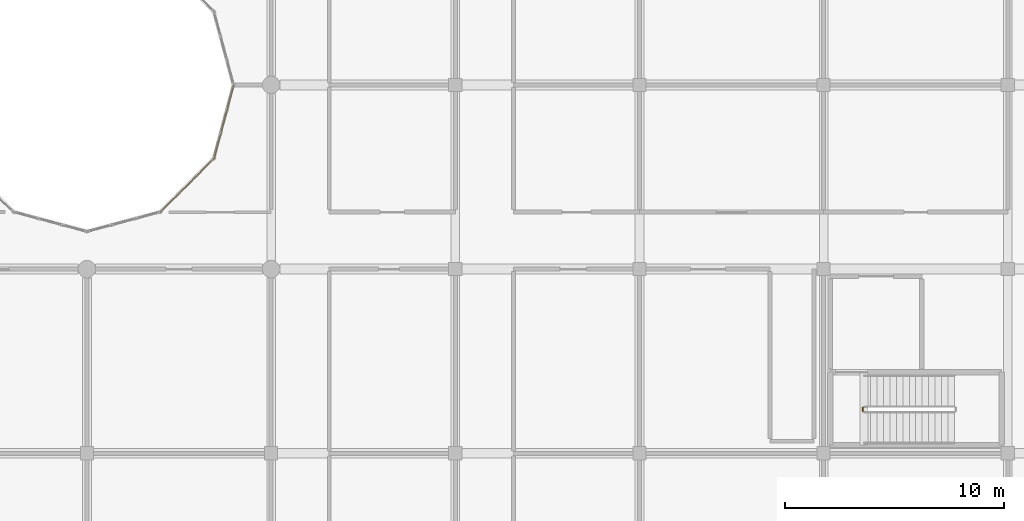
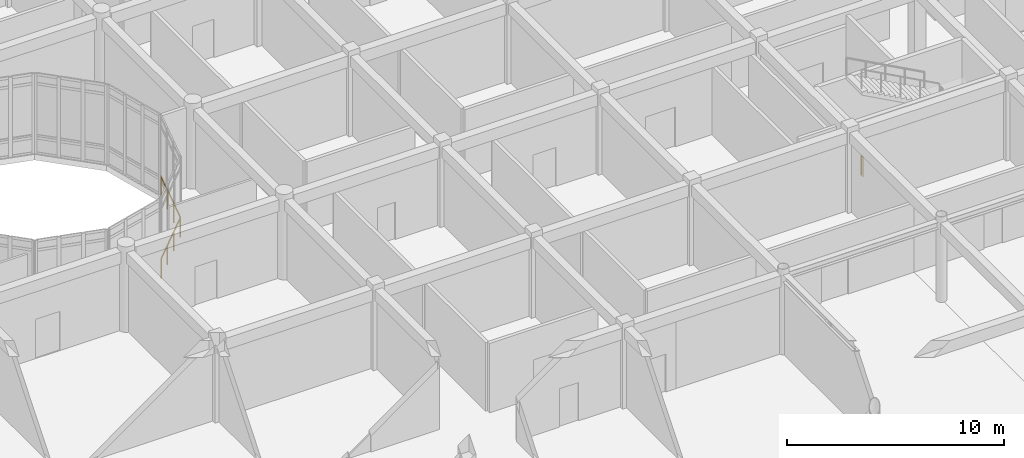
# One storey, part 123 of 138: 3 railings.
"""IFC4 building model written with IfcOpenShell, lengths in metres."""

import ifcopenshell
import ifcopenshell.guid

model = None  # the IFC model being written
_history = None  # IfcOwnerHistory: only IFC2X3 demands one
_inside = {}  # id of a spatial element -> (the spatial element, [elements in it])
_under = {}  # id of a project, library or spatial element -> (it, [spatial elements below it])
_declared = {}  # id of a project -> (the project, [libraries it declares])
_typed = {}  # id of a type object -> (the type object, [elements of that type])
_made_of = {}  # id of a material, layer set ... -> (it, [elements and type objects made of it])


def new_model(schema):
    """Start an empty IFC model of exactly this schema.

    Asked for "IFC4X3", IfcOpenShell would pick the latest addendum, in which some entities
    have other attributes; the version numbers below select the first issue.
    IFC2X3 requires an IfcOwnerHistory on every rooted entity: one is made here for all.
    """
    global model, _history
    if schema == "IFC4X3":
        model = ifcopenshell.file(schema_version=(4, 3, 0, 0))
    else:
        model = ifcopenshell.file(schema=schema)
    _inside.clear()
    _under.clear()
    _declared.clear()
    _typed.clear()
    _made_of.clear()
    _history = None
    if model.schema == "IFC2X3":
        org = make("IfcOrganization", Name="unknown")
        user = make(
            "IfcPersonAndOrganization",
            ThePerson=make("IfcPerson", FamilyName="unknown"),
            TheOrganization=org,
        )
        app = make(
            "IfcApplication",
            ApplicationDeveloper=org,
            Version="unknown",
            ApplicationFullName="unknown",
            ApplicationIdentifier="unknown",
        )
        _history = make(
            "IfcOwnerHistory",
            OwningUser=user,
            OwningApplication=app,
            ChangeAction="ADDED",
            CreationDate=0,
        )
    return model


def make(cls, **values):
    """One entity of the class cls with the attributes given. An attribute that is None is left unset."""
    return model.create_entity(
        cls, **{name: value for name, value in values.items() if value is not None}
    )


def rooted(cls, **values):
    """An entity with a GlobalId (a new one), such as an element, a storey or a relation."""
    return make(cls, GlobalId=ifcopenshell.guid.new(), OwnerHistory=_history, **values)


def si_unit(unit_type, name, prefix=None):
    """IfcSIUnit, for example si_unit("LENGTHUNIT", "METRE", prefix="MILLI")."""
    return make("IfcSIUnit", UnitType=unit_type, Prefix=prefix, Name=name)


def assignment(units):
    """IfcUnitAssignment: the units of a project."""
    return None if units is None else make("IfcUnitAssignment", Units=units)


def point(xyz):
    """IfcCartesianPoint."""
    return None if xyz is None else make("IfcCartesianPoint", Coordinates=xyz)


def direction(xyz):
    """IfcDirection."""
    return None if xyz is None else make("IfcDirection", DirectionRatios=xyz)


def frame(location, z_axis=None, x_axis=None):
    """IfcAxis2Placement3D, a coordinate frame: its origin and axes. An axis left out is left unset."""
    return make(
        "IfcAxis2Placement3D",
        Location=point(location),
        Axis=direction(z_axis),
        RefDirection=direction(x_axis),
    )


def frame_2d(location, x_axis=None):
    """IfcAxis2Placement2D, a coordinate frame in the plane: its origin and x axis."""
    return make(
        "IfcAxis2Placement2D", Location=point(location), RefDirection=direction(x_axis)
    )


def origin():
    """The frame at (0, 0, 0) with its axes left unset."""
    return frame((0.0, 0.0, 0.0))


def origin_2d():
    """The frame at (0, 0) in the plane with its x axis left unset."""
    return frame_2d((0.0, 0.0))


def place(relative_to, where):
    """IfcLocalPlacement: puts the frame where relative to a parent placement (None: the world)."""
    return make(
        "IfcLocalPlacement", PlacementRelTo=relative_to, RelativePlacement=where
    )


def context(
    kind, dimensions, precision=None, world=None, true_north=None, identifier=None
):
    """IfcGeometricRepresentationContext, for example the 3D "Model" context."""
    return make(
        "IfcGeometricRepresentationContext",
        ContextIdentifier=identifier,
        ContextType=kind,
        CoordinateSpaceDimension=dimensions,
        Precision=precision,
        WorldCoordinateSystem=world,
        TrueNorth=true_north,
    )


def subcontext(parent, identifier, kind, view, scale=None):
    """IfcGeometricRepresentationSubContext, for example "Body" below "Model"."""
    return make(
        "IfcGeometricRepresentationSubContext",
        ContextIdentifier=identifier,
        ContextType=kind,
        ParentContext=parent,
        TargetScale=scale,
        TargetView=view,
    )


def project(units=None, contexts=None):
    """IfcProject with its units and contexts."""
    return rooted(
        "IfcProject",
        Name="project",
        RepresentationContexts=contexts,
        UnitsInContext=assignment(units),
    )


def spatial(cls, under=None, at=None, **own):
    """A site, building, storey or space (cls), placed at a placement, below another one or the project."""
    s = rooted(cls, ObjectPlacement=at, **own)
    if under is not None:
        _under.setdefault(under.id(), (under, []))[1].append(s)
    return s


def profile(cls, at=None, kind="AREA", **sizes):
    """A parametric profile (cls). Its sizes go by their IFC names, for example OverallWidth=200.0."""
    return make(cls, ProfileType=kind, Position=at, **sizes)


def circle(**sizes):
    """IfcCircleProfileDef."""
    return profile("IfcCircleProfileDef", **sizes)


def extrude(swept, where, along, depth):
    """IfcExtrudedAreaSolid: the profile swept, set in the frame where, extruded along a direction by depth."""
    return make(
        "IfcExtrudedAreaSolid",
        SweptArea=swept,
        Position=where,
        ExtrudedDirection=direction(along),
        Depth=depth,
    )


def shape(context_of_items, identifier, shape_type, items):
    """IfcShapeRepresentation: the items that make up one representation, for example the "Body"."""
    return make(
        "IfcShapeRepresentation",
        ContextOfItems=context_of_items,
        RepresentationIdentifier=identifier,
        RepresentationType=shape_type,
        Items=items,
    )


def material(Name=None, Category=None):
    """IfcMaterial."""
    return make("IfcMaterial", Name=Name, Category=Category)


def made_of(thing, what):
    """Note that an element or type object is made of a material, layer set ...; save() writes the relation."""
    if what is not None:
        _made_of.setdefault(what.id(), (what, []))[1].append(thing)
    return thing


def type_object(cls, material=None, **own):
    """A type object (cls), such as IfcWallType, which elements share."""
    return made_of(rooted(cls, **own), material)


def element(
    cls,
    number,
    at=None,
    inside=None,
    cuts=None,
    type_object=None,
    material=None,
    context=None,
    identifier="Body",
    shape_type=None,
    held_by="IfcProductDefinitionShape",
    body=None,
    shapes=None,
    **own,
):
    """One element of the class cls, such as IfcWall. Its Tag is "e" and its number.

    at: its placement. inside: the storey or other place that contains it. cuts: it is an
    opening in that element (IfcRelVoidsElement). A single representation is given by context,
    identifier, shape_type and body (its items); several are given by shapes. held_by: the class
    of the entity that holds the representations. save() writes the other relations.
    """
    e = rooted(cls, Tag="e%d" % number, ObjectPlacement=at, **own)
    if body is not None:
        shapes = [shape(context, identifier, shape_type, body)]
    if shapes is not None:
        e.Representation = make(held_by, Representations=shapes)
    if inside is not None:
        _inside.setdefault(inside.id(), (inside, []))[1].append(e)
    if cuts is not None:
        rooted(
            "IfcRelVoidsElement", RelatingBuildingElement=cuts, RelatedOpeningElement=e
        )
    if type_object is not None:
        _typed.setdefault(type_object.id(), (type_object, []))[1].append(e)
    return made_of(e, material)


def aggregate(whole, parts):
    """IfcRelAggregates: a whole, such as a stair, and the parts it consists of."""
    return rooted("IfcRelAggregates", RelatingObject=whole, RelatedObjects=parts)


def save(model, path):
    """Write the relations noted so far, then the file.

    IfcRelAggregates (storeys below a building ...), IfcRelContainedInSpatialStructure (elements
    in a storey), IfcRelDefinesByType, IfcRelAssociatesMaterial and IfcRelDeclares: one each for
    every whole, place, type object, material and project.
    """
    for whole, parts in _under.values():
        aggregate(whole, parts)
    for where, things in _inside.values():
        rooted(
            "IfcRelContainedInSpatialStructure",
            RelatedElements=things,
            RelatingStructure=where,
        )
    for kind, things in _typed.values():
        rooted("IfcRelDefinesByType", RelatedObjects=things, RelatingType=kind)
    for what, things in _made_of.values():
        rooted("IfcRelAssociatesMaterial", RelatedObjects=things, RelatingMaterial=what)
    for by, libraries in _declared.values():
        rooted("IfcRelDeclares", RelatingContext=by, RelatedDefinitions=libraries)
    model.write(path)


model = new_model("IFC4")

# Units and contexts
model_context = context("Model", 3, precision=1e-05, world=origin(), true_north=direction((0.0, 1.0)))
body_context = subcontext(model_context, "Body", "Model", "MODEL_VIEW")
ifc_project = project(units=[si_unit("LENGTHUNIT", "METRE"), si_unit("AREAUNIT", "SQUARE_METRE"), si_unit("VOLUMEUNIT", "CUBIC_METRE"), si_unit("PLANEANGLEUNIT", "RADIAN"), si_unit("MASSUNIT", "GRAM", prefix="KILO")], contexts=[model_context])

# Site, building, storey
site_placement = place(None, origin())
site = spatial("IfcSite", under=ifc_project, at=site_placement, CompositionType="ELEMENT")
building_placement = place(site_placement, origin())
building = spatial("IfcBuilding", under=site, at=building_placement, Name="Bramfleet General Hospital", CompositionType="ELEMENT")
storey_placement = place(building_placement, origin())
storey = spatial("IfcBuildingStorey", under=building, at=storey_placement, Name="L00", CompositionType="ELEMENT", Elevation=0.0)

# Railings
ifc_material_1 = material(Name="Stainless steel 1.4401 safety balustrade", Category="steel")
railing_type_1 = type_object("IfcRailingType", Name="RAIL-EXT-GUARD", PredefinedType="GUARDRAIL", material=ifc_material_1)
railing_1_placement = place(storey_placement, frame((28.577880859375, 78.220703125, 0.0)))
element("IfcRailing", 1, at=railing_1_placement, inside=storey, type_object=railing_type_1, Name="L00 Safety Guard Rail 5", PredefinedType="GUARDRAIL", context=body_context, shape_type="SweptSolid", body=[
    extrude(circle(Radius=0.02392578125, at=origin_2d()), frame((0.0, 0.0, 1.076171875), z_axis=(0.707106781187, 0.707106781187, 0.0), x_axis=(-0.707106781187, 0.707106781187, 0.0)), (0.0, 0.0, 1.0), 3.396484375),
    extrude(circle(Radius=0.02099609375, at=origin_2d()), origin(), (0.0, 0.0, 1.0), 1.052001953125),
    extrude(circle(Radius=0.02099609375, at=origin_2d()), frame((0.800537109375, 0.800537109375, 0.0)), (0.0, 0.0, 1.0), 1.052001953125),
    extrude(circle(Radius=0.02099609375, at=origin_2d()), frame((1.60107421875, 1.60107421875, 0.0)), (0.0, 0.0, 1.0), 1.052001953125),
    extrude(circle(Radius=0.02099609375, at=origin_2d()), frame((2.401611328125, 2.401611328125, 0.0)), (0.0, 0.0, 1.0), 1.052001953125),
])
railing_2_placement = place(storey_placement, frame((31.014892578125, 80.683837890625, 0.0)))
element("IfcRailing", 2, at=railing_2_placement, inside=storey, type_object=railing_type_1, Name="L00 Safety Guard Rail 6", PredefinedType="GUARDRAIL", context=body_context, shape_type="SweptSolid", body=[
    extrude(circle(Radius=0.02392578125, at=origin_2d()), frame((0.0, 0.0, 1.076171875), z_axis=(0.258839080781, 0.965920457522, 0.0), x_axis=(-0.965920457522, 0.258839080781, 0.0)), (0.0, 0.0, 1.0), 3.396484375),
    extrude(circle(Radius=0.02099609375, at=origin_2d()), origin(), (0.0, 0.0, 1.0), 1.052001953125),
    extrude(circle(Radius=0.02099609375, at=origin_2d()), frame((0.29296875, 1.093505859375, 0.0)), (0.0, 0.0, 1.0), 1.052001953125),
    extrude(circle(Radius=0.02099609375, at=origin_2d()), frame((0.586181640625, 2.187255859375, 0.0)), (0.0, 0.0, 1.0), 1.052001953125),
    extrude(circle(Radius=0.02099609375, at=origin_2d()), frame((0.879150390625, 3.28076171875, 0.0)), (0.0, 0.0, 1.0), 1.052001953125),
])
ifc_material_2 = material(Name="Powder-coated steel stair balustrade", Category="steel")
railing_type_2 = type_object("IfcRailingType", Name="RAIL-ST-GUARD", PredefinedType="GUARDRAIL", material=ifc_material_2)
railing_3_placement = place(storey_placement, frame((60.590087890625, 69.1201171875, 0.0)))
element("IfcRailing", 3, at=railing_3_placement, inside=storey, type_object=railing_type_2, Name="L00 ST-C13 stair guard 4", PredefinedType="GUARDRAIL", context=body_context, shape_type="SweptSolid", body=[
    extrude(circle(Radius=0.02392578125, at=origin_2d()), frame((0.0, 0.0, 1.076171875), z_axis=(0.0, 1.0, 0.0), x_axis=(-1.0, 0.0, 0.0)), (0.0, 0.0, 1.0), 0.159912109375),
    extrude(circle(Radius=0.02099609375, at=origin_2d()), origin(), (0.0, 0.0, 1.0), 1.052001953125),
    extrude(circle(Radius=0.02099609375, at=origin_2d()), frame((0.0, 0.159912109375, 0.0)), (0.0, 0.0, 1.0), 1.052001953125),
])

save(model, "model.ifc")
